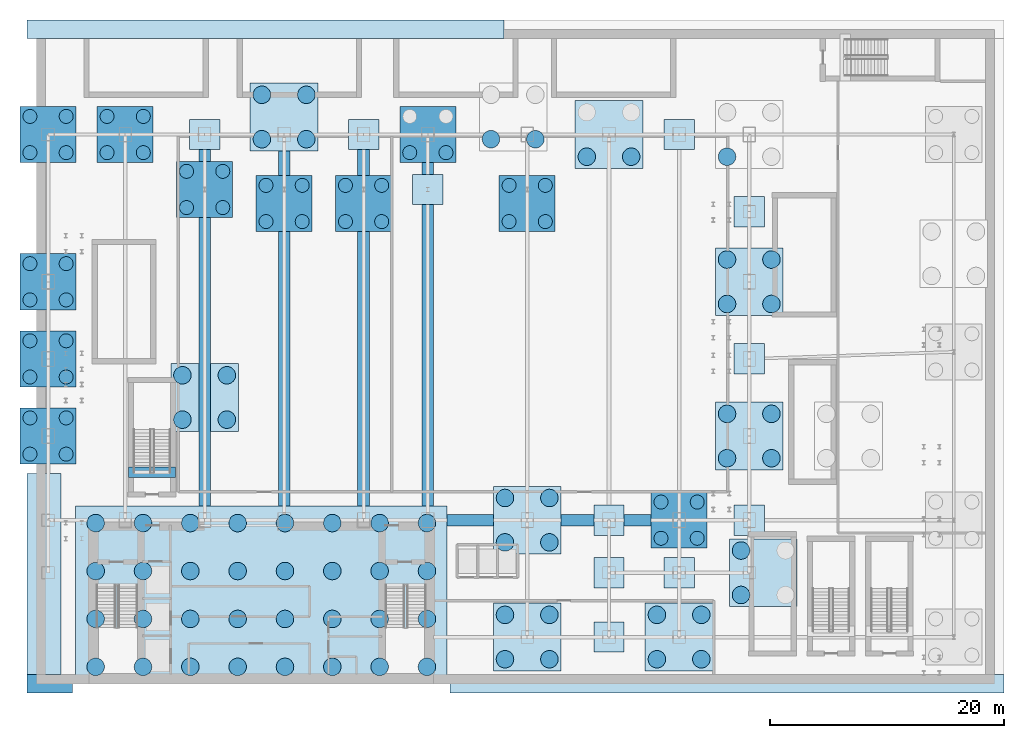
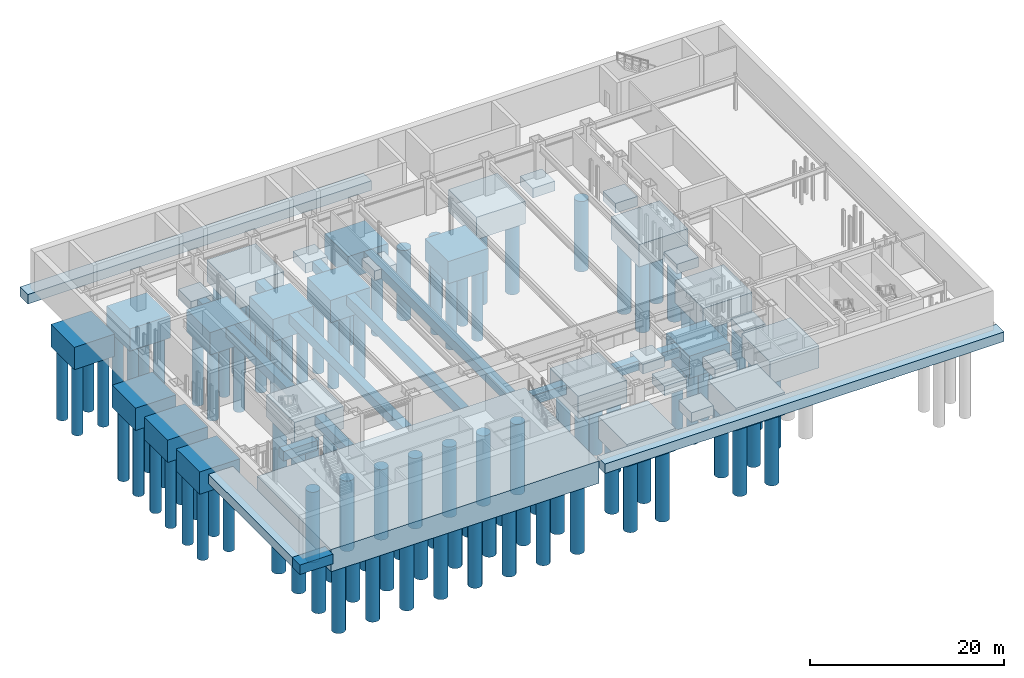
# One storey, part 1 of 17: 109 piles, 44 footings.
"""IFC4 building model written with IfcOpenShell, lengths in metres."""

from ifc_helpers import new_model, si_unit, derived_unit, direction, frame, origin, origin_2d, place, context, subcontext, project, spatial, polyline, rectangle, circle, outline, extrude, source, transform, mapped, material, material_profile, profile_set, type_object, element, save


model = new_model("IFC4")

# Units and contexts
model_context = context("Model", 3, precision=1e-05, world=origin(), true_north=direction((0.0, 1.0)))
body_context = subcontext(model_context, "Body", "Model", "MODEL_VIEW")
ifc_project = project(units=[si_unit("LENGTHUNIT", "METRE"), si_unit("AREAUNIT", "SQUARE_METRE"), si_unit("VOLUMEUNIT", "CUBIC_METRE"), si_unit("PLANEANGLEUNIT", "RADIAN"), si_unit("MASSUNIT", "GRAM", prefix="KILO"), derived_unit("THERMALTRANSMITTANCEUNIT", [(si_unit("POWERUNIT", "WATT"), 1), (si_unit("LENGTHUNIT", "METRE"), -2), (si_unit("THERMODYNAMICTEMPERATUREUNIT", "KELVIN"), -1)])], contexts=[model_context])

# Site, building, storey
site_placement = place(None, origin())
site = spatial("IfcSite", under=ifc_project, at=site_placement, CompositionType="ELEMENT")
building_placement = place(site_placement, origin())
building = spatial("IfcBuilding", under=site, at=building_placement, Name="Skarnbrae Concourse Arena and Tower", CompositionType="ELEMENT")
storey_placement = place(building_placement, frame((0.0, 0.0, -10.0)))
storey = spatial("IfcBuildingStorey", under=building, at=storey_placement, Name="B02", CompositionType="ELEMENT", Elevation=-10.0)

# Footings
ifc_material = material(Name="Concrete 50 MPa (C50/60)", Category="concrete")
footing_type_1 = type_object("IfcFootingType", Name="FTG-BEAM-1000X1200", PredefinedType="FOOTING_BEAM", material=ifc_material)
footing_1_placement = place(storey_placement, frame((0.0, 0.0, -1.199951171875)))
element("IfcFooting", 1, at=footing_1_placement, inside=storey, type_object=footing_type_1, Name="Foundation tie grade beam GB-N1", PredefinedType="FOOTING_BEAM", context=body_context, shape_type="SweptSolid", body=[
    extrude(outline(polyline([(13.89990234375, 15.199951171875), (14.89990234375, 15.199951171875), (14.89990234375, 45.699951171875), (13.89990234375, 45.699951171875), (13.89990234375, 15.199951171875)])), origin(), (0.0, 0.0, 1.0), 1.199951171875),
])
footing_2_placement = place(storey_placement, frame((0.0, 0.0, -1.199951171875)))
element("IfcFooting", 2, at=footing_2_placement, inside=storey, type_object=footing_type_1, Name="Foundation tie grade beam GB-N2", PredefinedType="FOOTING_BEAM", context=body_context, shape_type="SweptSolid", body=[
    extrude(outline(polyline([(20.699951171875, 15.199951171875), (21.699951171875, 15.199951171875), (21.699951171875, 45.60009765625), (20.699951171875, 45.60009765625), (20.699951171875, 15.199951171875)])), origin(), (0.0, 0.0, 1.0), 1.199951171875),
])
footing_3_placement = place(storey_placement, frame((0.0, 0.0, -1.199951171875)))
element("IfcFooting", 3, at=footing_3_placement, inside=storey, type_object=footing_type_1, Name="Foundation tie grade beam GB-N3", PredefinedType="FOOTING_BEAM", context=body_context, shape_type="SweptSolid", body=[
    extrude(outline(polyline([(27.5, 15.199951171875), (28.5, 15.199951171875), (28.5, 45.699951171875), (27.5, 45.699951171875), (27.5, 15.199951171875)])), origin(), (0.0, 0.0, 1.0), 1.199951171875),
])
footing_4_placement = place(storey_placement, frame((0.0, 0.0, -1.199951171875)))
element("IfcFooting", 4, at=footing_4_placement, inside=storey, type_object=footing_type_1, Name="Foundation tie grade beam GB-N4", PredefinedType="FOOTING_BEAM", context=body_context, shape_type="SweptSolid", body=[
    extrude(outline(polyline([(33.0, 15.199951171875), (34.0, 15.199951171875), (34.0, 44.60009765625), (33.0, 44.60009765625), (33.0, 15.199951171875)])), origin(), (0.0, 0.0, 1.0), 1.199951171875),
])
footing_5_placement = place(storey_placement, frame((0.0, 0.0, -1.199951171875)))
element("IfcFooting", 5, at=footing_5_placement, inside=storey, type_object=footing_type_1, Name="Foundation tie grade beam GB-E1", PredefinedType="FOOTING_BEAM", context=body_context, shape_type="SweptSolid", body=[
    extrude(outline(polyline([(35.14990234375, 13.5), (39.10009765625, 13.5), (39.10009765625, 14.5), (35.14990234375, 14.5), (35.14990234375, 13.5)])), origin(), (0.0, 0.0, 1.0), 1.199951171875),
])
footing_6_placement = place(storey_placement, frame((0.0, 0.0, -1.199951171875)))
element("IfcFooting", 6, at=footing_6_placement, inside=storey, type_object=footing_type_1, Name="Foundation tie grade beam GB-E2", PredefinedType="FOOTING_BEAM", context=body_context, shape_type="SweptSolid", body=[
    extrude(outline(polyline([(44.89990234375, 13.5), (47.699951171875, 13.5), (47.699951171875, 14.5), (44.89990234375, 14.5), (44.89990234375, 13.5)])), origin(), (0.0, 0.0, 1.0), 1.199951171875),
])
footing_7_placement = place(storey_placement, frame((0.0, 0.0, -1.199951171875)))
element("IfcFooting", 7, at=footing_7_placement, inside=storey, type_object=footing_type_1, Name="Foundation tie grade beam GB-E3", PredefinedType="FOOTING_BEAM", context=body_context, shape_type="SweptSolid", body=[
    extrude(outline(polyline([(50.300048828125, 13.5), (52.60009765625, 13.5), (52.60009765625, 14.5), (50.300048828125, 14.5), (50.300048828125, 13.5)])), origin(), (0.0, 0.0, 1.0), 1.199951171875),
])
footing_type_2 = type_object("IfcFootingType", Name="FTG-PAD-2600X2600", PredefinedType="PAD_FOOTING", material=ifc_material)
footing_8_placement = place(storey_placement, frame((0.0, 0.0, -1.199951171875)))
element("IfcFooting", 8, at=footing_8_placement, inside=storey, type_object=footing_type_2, Name="B02 Stair ST-B3 sleeper pad footing", PredefinedType="PAD_FOOTING", context=body_context, shape_type="SweptSolid", body=[
    extrude(outline(polyline([(7.89990234375, 17.64990234375), (11.89990234375, 17.64990234375), (11.89990234375, 18.550048828125), (7.89990234375, 18.550048828125), (7.89990234375, 17.64990234375)])), origin(), (0.0, 0.0, 1.0), 1.199951171875),
])
footing_type_3 = type_object("IfcFootingType", Name="FTG-STRIP-1600X1200", PredefinedType="STRIP_FOOTING", material=ifc_material)
footing_9_placement = place(storey_placement, frame((0.0, 0.0, -1.199951171875)))
element("IfcFooting", 9, at=footing_9_placement, inside=storey, type_object=footing_type_3, Name="Perimeter retaining strip footing SF-SOUTH-W", PredefinedType="STRIP_FOOTING", context=body_context, shape_type="SweptSolid", body=[
    extrude(outline(polyline([(-0.800048828125, -0.800048828125), (3.10009765625, -0.800048828125), (3.10009765625, 0.800048828125), (-0.800048828125, 0.800048828125), (-0.800048828125, -0.800048828125)])), origin(), (0.0, 0.0, 1.0), 1.199951171875),
])
footing_10_placement = place(storey_placement, frame((0.0, 0.0, -1.199951171875)))
element("IfcFooting", 10, at=footing_10_placement, inside=storey, type_object=footing_type_3, Name="Perimeter retaining strip footing SF-SOUTH-E", PredefinedType="STRIP_FOOTING", context=body_context, shape_type="SweptSolid", body=[
    extrude(outline(polyline([(35.39990234375, -0.800048828125), (82.800048828125, -0.800048828125), (82.800048828125, 0.800048828125), (35.39990234375, 0.800048828125), (35.39990234375, -0.800048828125)])), origin(), (0.0, 0.0, 1.0), 1.199951171875),
])
footing_11_placement = place(storey_placement, frame((0.0, 0.0, -1.199951171875)))
element("IfcFooting", 11, at=footing_11_placement, inside=storey, type_object=footing_type_3, Name="Perimeter retaining strip footing SF-NORTH-W", PredefinedType="STRIP_FOOTING", context=body_context, shape_type="SweptSolid", body=[
    extrude(outline(polyline([(-0.800048828125, 55.199951171875), (40.0, 55.199951171875), (40.0, 56.800048828125), (-0.800048828125, 56.800048828125), (-0.800048828125, 55.199951171875)])), origin(), (0.0, 0.0, 1.0), 1.199951171875),
])
footing_12_placement = place(storey_placement, frame((0.0, 0.0, -1.199951171875)))
element("IfcFooting", 12, at=footing_12_placement, inside=storey, type_object=footing_type_3, Name="Perimeter retaining strip footing SF-WEST-S", PredefinedType="STRIP_FOOTING", context=body_context, shape_type="SweptSolid", body=[
    extrude(outline(polyline([(-0.800048828125, 0.800048828125), (2.10009765625, 0.800048828125), (2.10009765625, 18.0), (-0.800048828125, 18.0), (-0.800048828125, 0.800048828125)])), origin(), (0.0, 0.0, 1.0), 1.199951171875),
])
footing_type_4 = type_object("IfcFootingType", Name="FTG-PILE-CAP-MAT-2800", PredefinedType="PILE_CAP", material=ifc_material)
shared_shape_1 = source(origin(), body_context, "Body", "SweptSolid", [
    extrude(rectangle(XDim=31.800048828125, YDim=15.199951171875, at=origin_2d()), origin(), (0.0, 0.0, 1.0), 2.800048828125),
])
footing_13_placement = place(storey_placement, frame((19.25, 7.60009765625, -2.7998046875), z_axis=(0.0, 0.0, 1.0), x_axis=(1.0, 0.0, 0.0)))
element("IfcFooting", 13, at=footing_13_placement, inside=storey, type_object=footing_type_4, Name="Reinforced concrete pile cap FC-MAT (FND-CAP-CORE-MAT)", PredefinedType="PILE_CAP", context=body_context, shape_type="MappedRepresentation", body=[
    mapped(shared_shape_1, transform((0.0, 0.0, 0.0))),
])

# Piles
ifc_material_profile_1 = material_profile(ifc_material, circle(Radius=0.75, at=origin_2d()), Name="CAISSON-1500")
ifc_profile_set_1 = profile_set([ifc_material_profile_1], Name="Concrete 50 MPa (C50/60)")
pile_type_1 = type_object("IfcPileType", Name="PILE-BORED-1500", PredefinedType="BORED", material=ifc_profile_set_1)
shared_shape_2 = source(origin(), body_context, "Body", "SweptSolid", [
    extrude(circle(Radius=0.75, at=origin_2d()), origin(), (0.0, 0.0, 1.0), 8.85009765625),
])
for number, where, z_axis, x_axis, name in (
    (14, (5.074951171875, 1.449951171875, -2.64990234375), (0.0, 0.0, -1.0), (1.0, 0.0, 0.0), "Bored rock-socketed caisson pile 001 (PL-1500)"),
    (15, (5.074951171875, 5.550048828125, -2.64990234375), (0.0, 0.0, -1.0), (1.0, 0.0, 0.0), "Bored rock-socketed caisson pile 002 (PL-1500)"),
    (16, (5.074951171875, 9.64990234375, -2.64990234375), (0.0, 0.0, -1.0), (1.0, 0.0, 0.0), "Bored rock-socketed caisson pile 003 (PL-1500)"),
    (17, (5.074951171875, 13.75, -2.64990234375), (0.0, 0.0, -1.0), (1.0, 0.0, 0.0), "Bored rock-socketed caisson pile 004 (PL-1500)"),
    (18, (9.125, 1.449951171875, -2.64990234375), (0.0, 0.0, -1.0), (1.0, 0.0, 0.0), "Bored rock-socketed caisson pile 005 (PL-1500)"),
    (19, (9.125, 5.550048828125, -2.64990234375), (0.0, 0.0, -1.0), (1.0, 0.0, 0.0), "Bored rock-socketed caisson pile 006 (PL-1500)"),
    (20, (9.125, 9.64990234375, -2.64990234375), (0.0, 0.0, -1.0), (1.0, 0.0, 0.0), "Bored rock-socketed caisson pile 007 (PL-1500)"),
    (21, (9.125, 13.75, -2.64990234375), (0.0, 0.0, -1.0), (1.0, 0.0, 0.0), "Bored rock-socketed caisson pile 008 (PL-1500)"),
    (22, (13.175048828125, 1.449951171875, -2.64990234375), (0.0, 0.0, -1.0), (1.0, 0.0, 0.0), "Bored rock-socketed caisson pile 009 (PL-1500)"),
    (23, (13.175048828125, 5.550048828125, -2.64990234375), (0.0, 0.0, -1.0), (1.0, 0.0, 0.0), "Bored rock-socketed caisson pile 010 (PL-1500)"),
    (24, (13.175048828125, 9.64990234375, -2.64990234375), (0.0, 0.0, -1.0), (1.0, 0.0, 0.0), "Bored rock-socketed caisson pile 011 (PL-1500)"),
    (25, (13.175048828125, 13.75, -2.64990234375), (0.0, 0.0, -1.0), (1.0, 0.0, 0.0), "Bored rock-socketed caisson pile 012 (PL-1500)"),
    (26, (17.22509765625, 1.449951171875, -2.64990234375), (0.0, 0.0, -1.0), (1.0, 0.0, 0.0), "Bored rock-socketed caisson pile 013 (PL-1500)"),
    (27, (17.22509765625, 5.550048828125, -2.64990234375), (0.0, 0.0, -1.0), (1.0, 0.0, 0.0), "Bored rock-socketed caisson pile 014 (PL-1500)"),
    (28, (17.22509765625, 9.64990234375, -2.64990234375), (0.0, 0.0, -1.0), (1.0, 0.0, 0.0), "Bored rock-socketed caisson pile 015 (PL-1500)"),
    (29, (17.22509765625, 13.75, -2.64990234375), (0.0, 0.0, -1.0), (1.0, 0.0, 0.0), "Bored rock-socketed caisson pile 016 (PL-1500)"),
    (30, (21.27490234375, 1.449951171875, -2.64990234375), (0.0, 0.0, -1.0), (1.0, 0.0, 0.0), "Bored rock-socketed caisson pile 017 (PL-1500)"),
    (31, (21.27490234375, 5.550048828125, -2.64990234375), (0.0, 0.0, -1.0), (1.0, 0.0, 0.0), "Bored rock-socketed caisson pile 018 (PL-1500)"),
    (32, (21.27490234375, 9.64990234375, -2.64990234375), (0.0, 0.0, -1.0), (1.0, 0.0, 0.0), "Bored rock-socketed caisson pile 019 (PL-1500)"),
    (33, (21.27490234375, 13.75, -2.64990234375), (0.0, 0.0, -1.0), (1.0, 0.0, 0.0), "Bored rock-socketed caisson pile 020 (PL-1500)"),
    (34, (25.324951171875, 1.449951171875, -2.64990234375), (0.0, 0.0, -1.0), (1.0, 0.0, 0.0), "Bored rock-socketed caisson pile 021 (PL-1500)"),
    (35, (25.324951171875, 5.550048828125, -2.64990234375), (0.0, 0.0, -1.0), (1.0, 0.0, 0.0), "Bored rock-socketed caisson pile 022 (PL-1500)"),
    (36, (25.324951171875, 9.64990234375, -2.64990234375), (0.0, 0.0, -1.0), (1.0, 0.0, 0.0), "Bored rock-socketed caisson pile 023 (PL-1500)"),
    (37, (25.324951171875, 13.75, -2.64990234375), (0.0, 0.0, -1.0), (1.0, 0.0, 0.0), "Bored rock-socketed caisson pile 024 (PL-1500)"),
    (38, (29.375, 1.449951171875, -2.64990234375), (0.0, 0.0, -1.0), (1.0, 0.0, 0.0), "Bored rock-socketed caisson pile 025 (PL-1500)"),
    (39, (29.375, 5.550048828125, -2.64990234375), (0.0, 0.0, -1.0), (1.0, 0.0, 0.0), "Bored rock-socketed caisson pile 026 (PL-1500)"),
    (40, (29.375, 9.64990234375, -2.64990234375), (0.0, 0.0, -1.0), (1.0, 0.0, 0.0), "Bored rock-socketed caisson pile 027 (PL-1500)"),
    (41, (29.375, 13.75, -2.64990234375), (0.0, 0.0, -1.0), (1.0, 0.0, 0.0), "Bored rock-socketed caisson pile 028 (PL-1500)"),
    (42, (33.425048828125, 1.449951171875, -2.64990234375), (0.0, 0.0, -1.0), (1.0, 0.0, 0.0), "Bored rock-socketed caisson pile 029 (PL-1500)"),
    (43, (33.425048828125, 5.550048828125, -2.64990234375), (0.0, 0.0, -1.0), (1.0, 0.0, 0.0), "Bored rock-socketed caisson pile 030 (PL-1500)"),
    (44, (33.425048828125, 9.64990234375, -2.64990234375), (0.0, 0.0, -1.0), (1.0, 0.0, 0.0), "Bored rock-socketed caisson pile 031 (PL-1500)"),
    (45, (33.425048828125, 13.75, -2.64990234375), (0.0, 0.0, -1.0), (1.0, 0.0, 0.0), "Bored rock-socketed caisson pile 032 (PL-1500)"),
    (46, (19.300048828125, 46.60009765625, -2.64990234375), (0.0, 0.0, -1.0), (1.0, 0.0, 0.0), "Bored rock-socketed caisson pile 033 (PL-1500)"),
    (47, (23.10009765625, 46.60009765625, -2.64990234375), (0.0, 0.0, -1.0), (1.0, 0.0, 0.0), "Bored rock-socketed caisson pile 034 (PL-1500)"),
    (48, (19.300048828125, 50.39990234375, -2.64990234375), (0.0, 0.0, -1.0), (1.0, 0.0, 0.0), "Bored rock-socketed caisson pile 035 (PL-1500)"),
    (49, (23.10009765625, 50.39990234375, -2.64990234375), (0.0, 0.0, -1.0), (1.0, 0.0, 0.0), "Bored rock-socketed caisson pile 036 (PL-1500)"),
    (50, (38.89990234375, 46.60009765625, -2.64990234375), (0.0, 0.0, -1.0), (1.0, 0.0, 0.0), "Bored rock-socketed caisson pile 037 (PL-1500)"),
    (51, (42.699951171875, 46.60009765625, -2.64990234375), (0.0, 0.0, -1.0), (1.0, 0.0, 0.0), "Bored rock-socketed caisson pile 038 (PL-1500)"),
    (52, (47.10009765625, 45.10009765625, -2.64990234375), (0.0, 0.0, -1.0), (1.0, 0.0, 0.0), "Bored rock-socketed caisson pile 041 (PL-1500)"),
    (53, (50.89990234375, 45.10009765625, -2.64990234375), (0.0, 0.0, -1.0), (1.0, 0.0, 0.0), "Bored rock-socketed caisson pile 042 (PL-1500)"),
    (54, (59.10009765625, 45.10009765625, -2.64990234375), (0.0, 0.0, -1.0), (1.0, 0.0, 0.0), "Bored rock-socketed caisson pile 045 (PL-1500)"),
    (55, (40.10009765625, 12.10009765625, -2.64990234375), (0.0, 0.0, -1.0), (1.0, 0.0, 0.0), "Bored rock-socketed caisson pile 049 (PL-1500)"),
    (56, (43.89990234375, 12.10009765625, -2.64990234375), (0.0, 0.0, -1.0), (1.0, 0.0, 0.0), "Bored rock-socketed caisson pile 050 (PL-1500)"),
    (57, (40.10009765625, 15.89990234375, -2.64990234375), (0.0, 0.0, -1.0), (1.0, 0.0, 0.0), "Bored rock-socketed caisson pile 051 (PL-1500)"),
    (58, (43.89990234375, 15.89990234375, -2.64990234375), (0.0, 0.0, -1.0), (1.0, 0.0, 0.0), "Bored rock-socketed caisson pile 052 (PL-1500)"),
    (59, (60.300048828125, 7.60009765625, -2.64990234375), (0.0, 0.0, -1.0), (1.0, 0.0, 0.0), "Bored rock-socketed caisson pile 053 (PL-1500)"),
    (60, (60.300048828125, 11.39990234375, -2.64990234375), (0.0, 0.0, -1.0), (1.0, 0.0, 0.0), "Bored rock-socketed caisson pile 055 (PL-1500)"),
    (61, (59.10009765625, 19.300048828125, -2.64990234375), (0.0, 0.0, -1.0), (1.0, 0.0, 0.0), "Bored rock-socketed caisson pile 057 (PL-1500)"),
    (62, (62.89990234375, 19.300048828125, -2.64990234375), (0.0, 0.0, -1.0), (1.0, 0.0, 0.0), "Bored rock-socketed caisson pile 058 (PL-1500)"),
    (63, (59.10009765625, 23.10009765625, -2.64990234375), (0.0, 0.0, -1.0), (1.0, 0.0, 0.0), "Bored rock-socketed caisson pile 059 (PL-1500)"),
    (64, (62.89990234375, 23.10009765625, -2.64990234375), (0.0, 0.0, -1.0), (1.0, 0.0, 0.0), "Bored rock-socketed caisson pile 060 (PL-1500)"),
    (65, (59.10009765625, 32.5, -2.64990234375), (0.0, 0.0, -1.0), (1.0, 0.0, 0.0), "Bored rock-socketed caisson pile 061 (PL-1500)"),
    (66, (62.89990234375, 32.5, -2.64990234375), (0.0, 0.0, -1.0), (1.0, 0.0, 0.0), "Bored rock-socketed caisson pile 062 (PL-1500)"),
    (67, (59.10009765625, 36.300048828125, -2.64990234375), (0.0, 0.0, -1.0), (1.0, 0.0, 0.0), "Bored rock-socketed caisson pile 063 (PL-1500)"),
    (68, (62.89990234375, 36.300048828125, -2.64990234375), (0.0, 0.0, -1.0), (1.0, 0.0, 0.0), "Bored rock-socketed caisson pile 064 (PL-1500)"),
    (69, (40.10009765625, 2.10009765625, -2.64990234375), (0.0, 0.0, -1.0), (1.0, 0.0, 0.0), "Bored rock-socketed caisson pile 065 (PL-1500)"),
    (70, (43.89990234375, 2.10009765625, -2.64990234375), (0.0, 0.0, -1.0), (1.0, 0.0, 0.0), "Bored rock-socketed caisson pile 066 (PL-1500)"),
    (71, (40.10009765625, 5.89990234375, -2.64990234375), (0.0, 0.0, -1.0), (1.0, 0.0, 0.0), "Bored rock-socketed caisson pile 067 (PL-1500)"),
    (72, (43.89990234375, 5.89990234375, -2.64990234375), (0.0, 0.0, -1.0), (1.0, 0.0, 0.0), "Bored rock-socketed caisson pile 068 (PL-1500)"),
    (73, (53.10009765625, 2.10009765625, -2.64990234375), (0.0, 0.0, -1.0), (1.0, 0.0, 0.0), "Bored rock-socketed caisson pile 069 (PL-1500)"),
    (74, (56.89990234375, 2.10009765625, -2.64990234375), (0.0, 0.0, -1.0), (1.0, 0.0, 0.0), "Bored rock-socketed caisson pile 070 (PL-1500)"),
    (75, (53.10009765625, 5.89990234375, -2.64990234375), (0.0, 0.0, -1.0), (1.0, 0.0, 0.0), "Bored rock-socketed caisson pile 071 (PL-1500)"),
    (76, (56.89990234375, 5.89990234375, -2.64990234375), (0.0, 0.0, -1.0), (1.0, 0.0, 0.0), "Bored rock-socketed caisson pile 072 (PL-1500)"),
    (77, (12.5, 22.60009765625, -2.64990234375), (0.0, 0.0, -1.0), (1.0, 0.0, 0.0), "Bored rock-socketed caisson pile 077 (PL-1500)"),
    (78, (16.300048828125, 22.60009765625, -2.64990234375), (0.0, 0.0, -1.0), (1.0, 0.0, 0.0), "Bored rock-socketed caisson pile 078 (PL-1500)"),
    (79, (12.5, 26.39990234375, -2.64990234375), (0.0, 0.0, -1.0), (1.0, 0.0, 0.0), "Bored rock-socketed caisson pile 079 (PL-1500)"),
    (80, (16.300048828125, 26.39990234375, -2.64990234375), (0.0, 0.0, -1.0), (1.0, 0.0, 0.0), "Bored rock-socketed caisson pile 080 (PL-1500)"),
):
    element("IfcPile", number, at=place(storey_placement, frame(where, z_axis=z_axis, x_axis=x_axis)), inside=storey, type_object=pile_type_1, Name=name, PredefinedType="BORED", context=body_context, shape_type="MappedRepresentation", body=[
        mapped(shared_shape_2, transform((0.0, 0.0, 0.0))),
    ])

# Footings
footing_type_5 = type_object("IfcFootingType", Name="FTG-PILE-CAP-5800X5800", PredefinedType="PILE_CAP", material=ifc_material)
shared_shape_3 = source(origin(), body_context, "Body", "SweptSolid", [
    extrude(rectangle(XDim=5.800048828125, YDim=5.800048828125, at=origin_2d()), origin(), (0.0, 0.0, 1.0), 2.800048828125),
])
for number, where, z_axis, x_axis, name in (
    (81, (21.199951171875, 48.5, -2.7998046875), (0.0, 0.0, 1.0), (1.0, 0.0, 0.0), "Reinforced concrete pile cap FC-01 (FND-CAP-MC4-01)"),
    (82, (49.0, 47.0, -2.7998046875), (0.0, 0.0, 1.0), (1.0, 0.0, 0.0), "Reinforced concrete pile cap FC-01 (FND-CAP-MC4-03)"),
    (83, (42.0, 14.0, -2.7998046875), (0.0, 0.0, 1.0), (1.0, 0.0, 0.0), "Reinforced concrete pile cap FC-01 (FND-CAP-MC4-05)"),
    (84, (62.199951171875, 9.5, -2.7998046875), (0.0, 0.0, 1.0), (1.0, 0.0, 0.0), "Reinforced concrete pile cap FC-01 (FND-CAP-MC4-06)"),
    (85, (61.0, 21.199951171875, -2.7998046875), (0.0, 0.0, 1.0), (1.0, 0.0, 0.0), "Reinforced concrete pile cap FC-01 (FND-CAP-MC4-07)"),
    (86, (61.0, 34.39990234375, -2.7998046875), (0.0, 0.0, 1.0), (1.0, 0.0, 0.0), "Reinforced concrete pile cap FC-01 (FND-CAP-MC4-08)"),
    (87, (42.0, 4.0, -2.7998046875), (0.0, 0.0, 1.0), (1.0, 0.0, 0.0), "Reinforced concrete pile cap FC-01 (FND-CAP-MC4-09)"),
    (88, (55.0, 4.0, -2.7998046875), (0.0, 0.0, 1.0), (1.0, 0.0, 0.0), "Reinforced concrete pile cap FC-01 (FND-CAP-MC4-10)"),
    (89, (14.39990234375, 24.5, -2.7998046875), (0.0, 0.0, 1.0), (1.0, 0.0, 0.0), "Reinforced concrete pile cap FC-01 (FND-CAP-MC4-12)"),
):
    element("IfcFooting", number, at=place(storey_placement, frame(where, z_axis=z_axis, x_axis=x_axis)), inside=storey, type_object=footing_type_5, Name=name, PredefinedType="PILE_CAP", context=body_context, shape_type="MappedRepresentation", body=[
        mapped(shared_shape_3, transform((0.0, 0.0, 0.0))),
    ])
footing_type_6 = type_object("IfcFootingType", Name="FTG-PILE-CAP-4800X4800", PredefinedType="PILE_CAP", material=ifc_material)
shared_shape_4 = source(origin(), body_context, "Body", "SweptSolid", [
    extrude(rectangle(XDim=4.800048828125, YDim=4.800048828125, at=origin_2d()), origin(), (0.0, 0.0, 1.0), 2.800048828125),
])
for number, where, z_axis, x_axis, name in (
    (90, (1.0, 21.199951171875, -2.7998046875), (0.0, 0.0, 1.0), (1.0, 0.0, 0.0), "Reinforced concrete pile cap FC-02 (FND-CAP-PC4-01)"),
    (91, (1.0, 27.800048828125, -2.7998046875), (0.0, 0.0, 1.0), (1.0, 0.0, 0.0), "Reinforced concrete pile cap FC-02 (FND-CAP-PC4-02)"),
    (92, (1.0, 34.39990234375, -2.7998046875), (0.0, 0.0, 1.0), (1.0, 0.0, 0.0), "Reinforced concrete pile cap FC-02 (FND-CAP-PC4-03)"),
    (93, (1.0, 47.0, -2.7998046875), (0.0, 0.0, 1.0), (1.0, 0.0, 0.0), "Reinforced concrete pile cap FC-02 (FND-CAP-PC4-04)"),
    (94, (7.60009765625, 47.0, -2.7998046875), (0.0, 0.0, 1.0), (1.0, 0.0, 0.0), "Reinforced concrete pile cap FC-02 (FND-CAP-PC4-05)"),
    (95, (33.5, 47.0, -2.7998046875), (0.0, 0.0, 1.0), (1.0, 0.0, 0.0), "Reinforced concrete pile cap FC-02 (FND-CAP-PC4-06)"),
    (96, (55.0, 14.0, -2.7998046875), (0.0, 0.0, 1.0), (1.0, 0.0, 0.0), "Reinforced concrete pile cap FC-02 (FND-CAP-PC4-07)"),
    (97, (14.39990234375, 42.300048828125, -2.7998046875), (0.0, 0.0, 1.0), (1.0, 0.0, 0.0), "Reinforced concrete pile cap FC-02 (FND-CAP-PC4-12)"),
    (98, (21.199951171875, 41.10009765625, -2.7998046875), (0.0, 0.0, 1.0), (1.0, 0.0, 0.0), "Reinforced concrete pile cap FC-02 (FND-CAP-PC4-13)"),
    (99, (28.0, 41.10009765625, -2.7998046875), (0.0, 0.0, 1.0), (1.0, 0.0, 0.0), "Reinforced concrete pile cap FC-02 (FND-CAP-PC4-14)"),
    (100, (42.0, 41.10009765625, -2.7998046875), (0.0, 0.0, 1.0), (1.0, 0.0, 0.0), "Reinforced concrete pile cap FC-02 (FND-CAP-PC4-15)"),
):
    element("IfcFooting", number, at=place(storey_placement, frame(where, z_axis=z_axis, x_axis=x_axis)), inside=storey, type_object=footing_type_6, Name=name, PredefinedType="PILE_CAP", context=body_context, shape_type="MappedRepresentation", body=[
        mapped(shared_shape_4, transform((0.0, 0.0, 0.0))),
    ])

# Piles
ifc_material_profile_2 = material_profile(ifc_material, circle(Radius=0.60009765625, at=origin_2d()), Name="CAISSON-1200")
ifc_profile_set_2 = profile_set([ifc_material_profile_2], Name="Concrete 50 MPa (C50/60)")
pile_type_2 = type_object("IfcPileType", Name="PILE-BORED-1200", PredefinedType="BORED", material=ifc_profile_set_2)
shared_shape_5 = source(origin(), body_context, "Body", "SweptSolid", [
    extrude(circle(Radius=0.60009765625, at=origin_2d()), origin(), (0.0, 0.0, 1.0), 8.85009765625),
])
for number, where, z_axis, x_axis, name in (
    (101, (-0.550048828125, 19.64990234375, -2.64990234375), (0.0, 0.0, -1.0), (1.0, 0.0, 0.0), "Bored rock-socketed caisson pile 085 (PL-1200)"),
    (102, (2.550048828125, 19.64990234375, -2.64990234375), (0.0, 0.0, -1.0), (1.0, 0.0, 0.0), "Bored rock-socketed caisson pile 086 (PL-1200)"),
    (103, (-0.550048828125, 22.75, -2.64990234375), (0.0, 0.0, -1.0), (1.0, 0.0, 0.0), "Bored rock-socketed caisson pile 087 (PL-1200)"),
    (104, (2.550048828125, 22.75, -2.64990234375), (0.0, 0.0, -1.0), (1.0, 0.0, 0.0), "Bored rock-socketed caisson pile 088 (PL-1200)"),
    (105, (-0.550048828125, 26.25, -2.64990234375), (0.0, 0.0, -1.0), (1.0, 0.0, 0.0), "Bored rock-socketed caisson pile 089 (PL-1200)"),
    (106, (2.550048828125, 26.25, -2.64990234375), (0.0, 0.0, -1.0), (1.0, 0.0, 0.0), "Bored rock-socketed caisson pile 090 (PL-1200)"),
    (107, (-0.550048828125, 29.35009765625, -2.64990234375), (0.0, 0.0, -1.0), (1.0, 0.0, 0.0), "Bored rock-socketed caisson pile 091 (PL-1200)"),
    (108, (2.550048828125, 29.35009765625, -2.64990234375), (0.0, 0.0, -1.0), (1.0, 0.0, 0.0), "Bored rock-socketed caisson pile 092 (PL-1200)"),
    (109, (-0.550048828125, 32.85009765625, -2.64990234375), (0.0, 0.0, -1.0), (1.0, 0.0, 0.0), "Bored rock-socketed caisson pile 093 (PL-1200)"),
    (110, (2.550048828125, 32.85009765625, -2.64990234375), (0.0, 0.0, -1.0), (1.0, 0.0, 0.0), "Bored rock-socketed caisson pile 094 (PL-1200)"),
    (111, (-0.550048828125, 35.949951171875, -2.64990234375), (0.0, 0.0, -1.0), (1.0, 0.0, 0.0), "Bored rock-socketed caisson pile 095 (PL-1200)"),
    (112, (2.550048828125, 35.949951171875, -2.64990234375), (0.0, 0.0, -1.0), (1.0, 0.0, 0.0), "Bored rock-socketed caisson pile 096 (PL-1200)"),
    (113, (-0.550048828125, 45.449951171875, -2.64990234375), (0.0, 0.0, -1.0), (1.0, 0.0, 0.0), "Bored rock-socketed caisson pile 097 (PL-1200)"),
    (114, (2.550048828125, 45.449951171875, -2.64990234375), (0.0, 0.0, -1.0), (1.0, 0.0, 0.0), "Bored rock-socketed caisson pile 098 (PL-1200)"),
    (115, (-0.550048828125, 48.550048828125, -2.64990234375), (0.0, 0.0, -1.0), (1.0, 0.0, 0.0), "Bored rock-socketed caisson pile 099 (PL-1200)"),
    (116, (2.550048828125, 48.550048828125, -2.64990234375), (0.0, 0.0, -1.0), (1.0, 0.0, 0.0), "Bored rock-socketed caisson pile 100 (PL-1200)"),
    (117, (6.050048828125, 45.449951171875, -2.64990234375), (0.0, 0.0, -1.0), (1.0, 0.0, 0.0), "Bored rock-socketed caisson pile 101 (PL-1200)"),
    (118, (9.14990234375, 45.449951171875, -2.64990234375), (0.0, 0.0, -1.0), (1.0, 0.0, 0.0), "Bored rock-socketed caisson pile 102 (PL-1200)"),
    (119, (6.050048828125, 48.550048828125, -2.64990234375), (0.0, 0.0, -1.0), (1.0, 0.0, 0.0), "Bored rock-socketed caisson pile 103 (PL-1200)"),
    (120, (9.14990234375, 48.550048828125, -2.64990234375), (0.0, 0.0, -1.0), (1.0, 0.0, 0.0), "Bored rock-socketed caisson pile 104 (PL-1200)"),
    (121, (31.949951171875, 45.449951171875, -2.64990234375), (0.0, 0.0, -1.0), (1.0, 0.0, 0.0), "Bored rock-socketed caisson pile 105 (PL-1200)"),
    (122, (35.050048828125, 45.449951171875, -2.64990234375), (0.0, 0.0, -1.0), (1.0, 0.0, 0.0), "Bored rock-socketed caisson pile 106 (PL-1200)"),
    (123, (53.449951171875, 12.449951171875, -2.64990234375), (0.0, 0.0, -1.0), (1.0, 0.0, 0.0), "Bored rock-socketed caisson pile 109 (PL-1200)"),
    (124, (56.550048828125, 12.449951171875, -2.64990234375), (0.0, 0.0, -1.0), (1.0, 0.0, 0.0), "Bored rock-socketed caisson pile 110 (PL-1200)"),
    (125, (53.449951171875, 15.550048828125, -2.64990234375), (0.0, 0.0, -1.0), (1.0, 0.0, 0.0), "Bored rock-socketed caisson pile 111 (PL-1200)"),
    (126, (56.550048828125, 15.550048828125, -2.64990234375), (0.0, 0.0, -1.0), (1.0, 0.0, 0.0), "Bored rock-socketed caisson pile 112 (PL-1200)"),
    (127, (12.85009765625, 40.75, -2.64990234375), (0.0, 0.0, -1.0), (1.0, 0.0, 0.0), "Bored rock-socketed caisson pile 129 (PL-1200)"),
    (128, (15.949951171875, 40.75, -2.64990234375), (0.0, 0.0, -1.0), (1.0, 0.0, 0.0), "Bored rock-socketed caisson pile 130 (PL-1200)"),
    (129, (12.85009765625, 43.85009765625, -2.64990234375), (0.0, 0.0, -1.0), (1.0, 0.0, 0.0), "Bored rock-socketed caisson pile 131 (PL-1200)"),
    (130, (15.949951171875, 43.85009765625, -2.64990234375), (0.0, 0.0, -1.0), (1.0, 0.0, 0.0), "Bored rock-socketed caisson pile 132 (PL-1200)"),
    (131, (19.64990234375, 39.550048828125, -2.64990234375), (0.0, 0.0, -1.0), (1.0, 0.0, 0.0), "Bored rock-socketed caisson pile 133 (PL-1200)"),
    (132, (22.75, 39.550048828125, -2.64990234375), (0.0, 0.0, -1.0), (1.0, 0.0, 0.0), "Bored rock-socketed caisson pile 134 (PL-1200)"),
    (133, (19.64990234375, 42.64990234375, -2.64990234375), (0.0, 0.0, -1.0), (1.0, 0.0, 0.0), "Bored rock-socketed caisson pile 135 (PL-1200)"),
    (134, (22.75, 42.64990234375, -2.64990234375), (0.0, 0.0, -1.0), (1.0, 0.0, 0.0), "Bored rock-socketed caisson pile 136 (PL-1200)"),
    (135, (26.449951171875, 39.550048828125, -2.64990234375), (0.0, 0.0, -1.0), (1.0, 0.0, 0.0), "Bored rock-socketed caisson pile 137 (PL-1200)"),
    (136, (29.550048828125, 39.550048828125, -2.64990234375), (0.0, 0.0, -1.0), (1.0, 0.0, 0.0), "Bored rock-socketed caisson pile 138 (PL-1200)"),
    (137, (26.449951171875, 42.64990234375, -2.64990234375), (0.0, 0.0, -1.0), (1.0, 0.0, 0.0), "Bored rock-socketed caisson pile 139 (PL-1200)"),
    (138, (29.550048828125, 42.64990234375, -2.64990234375), (0.0, 0.0, -1.0), (1.0, 0.0, 0.0), "Bored rock-socketed caisson pile 140 (PL-1200)"),
    (139, (40.449951171875, 39.550048828125, -2.64990234375), (0.0, 0.0, -1.0), (1.0, 0.0, 0.0), "Bored rock-socketed caisson pile 141 (PL-1200)"),
    (140, (43.550048828125, 39.550048828125, -2.64990234375), (0.0, 0.0, -1.0), (1.0, 0.0, 0.0), "Bored rock-socketed caisson pile 142 (PL-1200)"),
    (141, (40.449951171875, 42.64990234375, -2.64990234375), (0.0, 0.0, -1.0), (1.0, 0.0, 0.0), "Bored rock-socketed caisson pile 143 (PL-1200)"),
    (142, (43.550048828125, 42.64990234375, -2.64990234375), (0.0, 0.0, -1.0), (1.0, 0.0, 0.0), "Bored rock-socketed caisson pile 144 (PL-1200)"),
):
    element("IfcPile", number, at=place(storey_placement, frame(where, z_axis=z_axis, x_axis=x_axis)), inside=storey, type_object=pile_type_2, Name=name, PredefinedType="BORED", context=body_context, shape_type="MappedRepresentation", body=[
        mapped(shared_shape_5, transform((0.0, 0.0, 0.0))),
    ])

# Footings
shared_shape_6 = source(origin(), body_context, "Body", "SweptSolid", [
    extrude(rectangle(XDim=2.60009765625, YDim=2.60009765625, at=origin_2d()), origin(), (0.0, 0.0, 1.0), 1.199951171875),
])
for number, where, z_axis, x_axis, name in (
    (143, (14.39990234375, 47.0, -1.2001953125), (0.0, 0.0, 1.0), (1.0, 0.0, 0.0), "Reinforced concrete pad footing PF-01"),
    (144, (28.0, 47.0, -1.2001953125), (0.0, 0.0, 1.0), (1.0, 0.0, 0.0), "Reinforced concrete pad footing PF-02"),
    (145, (55.0, 47.0, -1.2001953125), (0.0, 0.0, 1.0), (1.0, 0.0, 0.0), "Reinforced concrete pad footing PF-03"),
    (146, (49.0, 14.0, -1.2001953125), (0.0, 0.0, 1.0), (1.0, 0.0, 0.0), "Reinforced concrete pad footing PF-04"),
    (147, (61.0, 14.0, -1.2001953125), (0.0, 0.0, 1.0), (1.0, 0.0, 0.0), "Reinforced concrete pad footing PF-05"),
    (148, (61.0, 27.800048828125, -1.2001953125), (0.0, 0.0, 1.0), (1.0, 0.0, 0.0), "Reinforced concrete pad footing PF-06"),
    (149, (61.0, 40.39990234375, -1.2001953125), (0.0, 0.0, 1.0), (1.0, 0.0, 0.0), "Reinforced concrete pad footing PF-07"),
    (150, (49.0, 9.5, -1.2001953125), (0.0, 0.0, 1.0), (1.0, 0.0, 0.0), "Reinforced concrete pad footing PF-08"),
    (151, (55.0, 9.5, -1.2001953125), (0.0, 0.0, 1.0), (1.0, 0.0, 0.0), "Reinforced concrete pad footing PF-09"),
    (152, (49.0, 4.0, -1.2001953125), (0.0, 0.0, 1.0), (1.0, 0.0, 0.0), "Reinforced concrete pad footing PF-10"),
    (153, (33.5, 42.300048828125, -1.2001953125), (0.0, 0.0, 1.0), (1.0, 0.0, 0.0), "Reinforced concrete pad footing PF-11"),
):
    element("IfcFooting", number, at=place(storey_placement, frame(where, z_axis=z_axis, x_axis=x_axis)), inside=storey, type_object=footing_type_2, Name=name, PredefinedType="PAD_FOOTING", context=body_context, shape_type="MappedRepresentation", body=[
        mapped(shared_shape_6, transform((0.0, 0.0, 0.0))),
    ])

save(model, "model.ifc")
